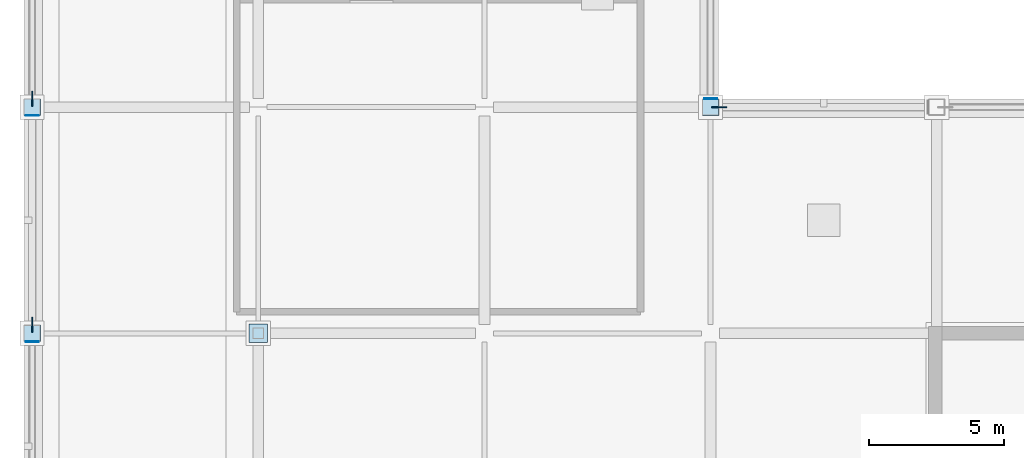
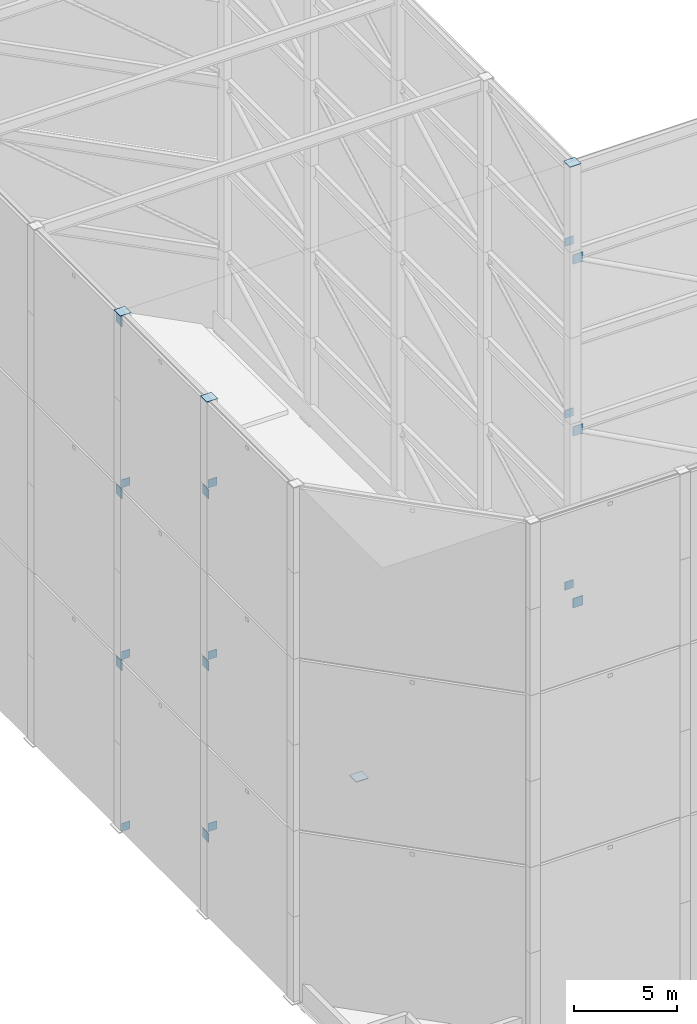
# One storey, part 9 of 17: 22 plates.
"""IFC4 building model written with IfcOpenShell, lengths in metres."""

from ifc_helpers import new_model, si_unit, direction, frame, origin, origin_2d, place, context, subcontext, project, spatial, rectangle, extrude, material, layer, layer_set, type_object, element, save


model = new_model("IFC4")

# Units and contexts
model_context = context("Model", 3, precision=1e-05, world=origin(), true_north=direction((0.0, 1.0)))
body_context = subcontext(model_context, "Body", "Model", "MODEL_VIEW")
ifc_project = project(units=[si_unit("LENGTHUNIT", "METRE"), si_unit("AREAUNIT", "SQUARE_METRE"), si_unit("VOLUMEUNIT", "CUBIC_METRE"), si_unit("PLANEANGLEUNIT", "RADIAN"), si_unit("MASSUNIT", "GRAM", prefix="KILO")], contexts=[model_context])

# Site, building, storey
site_placement = place(None, origin())
site = spatial("IfcSite", under=ifc_project, at=site_placement, CompositionType="ELEMENT")
building_placement = place(site_placement, origin())
building = spatial("IfcBuilding", under=site, at=building_placement, Name="Koriwani Terraces Tower", CompositionType="ELEMENT")
storey_placement = place(building_placement, frame((0.0, 0.0, 374.0)))
storey = spatial("IfcBuildingStorey", under=building, at=storey_placement, Name="RF", CompositionType="ELEMENT", Elevation=374.0)

# Plates
ifc_material = material(Name="Steel ASTM A572 Grade 50", Category="steel")
ifc_layer_1 = layer(ifc_material, 0.02490234375, Name="Steel ASTM A572 Grade 50")
ifc_layer_set_1 = layer_set([ifc_layer_1], Name="Steel ASTM A572 Grade 50")
plate_type_1 = type_object("IfcPlateType", Name="STEEL_CAP_PLATE_25", PredefinedType="USERDEFINED", material=ifc_layer_set_1)
for number, where, z_axis, x_axis, name in (
    (1, (33.60009765625, 33.60009765625, 30.51513671875), (0.0, 0.0, 1.0), (1.0, 0.0, 0.0), "Crown Frame Column Cap Plate EP-12"),
    (2, (8.39990234375, 33.60009765625, 30.51513671875), (0.0, 0.0, 1.0), (1.0, 0.0, 0.0), "Crown Frame Column Cap Plate EP-23"),
    (3, (8.39990234375, 25.199951171875, 30.51513671875), (0.0, 0.0, 1.0), (1.0, 0.0, 0.0), "Crown Frame Column Cap Plate EP-24"),
):
    element("IfcPlate", number, at=place(storey_placement, frame(where, z_axis=z_axis, x_axis=x_axis)), inside=storey, type_object=plate_type_1, Name=name, ObjectType="FLANGE_PLATE", PredefinedType="USERDEFINED", context=body_context, shape_type="SweptSolid", body=[
        extrude(rectangle(XDim=0.6201171875, YDim=0.6201171875, at=origin_2d()), origin(), (0.0, 0.0, 1.0), 0.02490234375),
    ])
plate_placement = place(storey_placement, frame((16.800048828125, 25.199951171875, 5.090087890625), z_axis=(0.0, 0.0, 1.0), x_axis=(1.0, 0.0, 0.0)))
element("IfcPlate", 4, at=plate_placement, inside=storey, type_object=plate_type_1, Name="Crown Equipment Column Cap Plate EQ-03", ObjectType="FLANGE_PLATE", PredefinedType="USERDEFINED", context=body_context, shape_type="SweptSolid", body=[
    extrude(rectangle(XDim=0.679931640625, YDim=0.679931640625, at=origin_2d()), origin(), (0.0, 0.0, 1.0), 0.02490234375),
])
for number, where, z_axis, x_axis, name in (
    (5, (8.39990234375, 33.284912109375, -0.02099609375), (0.0, 0.0, 1.0), (0.0, -1.0, 0.0), "Brace End Cap Plate CFBR-T1-S22"),
    (6, (33.60009765625, 33.915283203125, 5.06884765625), (0.0, 0.0, 1.0), (0.0, 1.0, 0.0), "Brace End Cap Plate CFBR-T2-S11"),
    (7, (8.39990234375, 24.884765625, 5.06884765625), (0.0, 0.0, 1.0), (0.0, -1.0, 0.0), "Brace End Cap Plate CFBR-T2-S23"),
    (8, (8.39990234375, 33.284912109375, 10.158935546875), (0.0, 0.0, 1.0), (0.0, -1.0, 0.0), "Brace End Cap Plate CFBR-T3-S22"),
    (9, (33.60009765625, 33.915283203125, 15.2490234375), (0.0, 0.0, 1.0), (0.0, 1.0, 0.0), "Brace End Cap Plate CFBR-T4-S11"),
    (10, (8.39990234375, 24.884765625, 15.2490234375), (0.0, 0.0, 1.0), (0.0, -1.0, 0.0), "Brace End Cap Plate CFBR-T4-S23"),
    (11, (8.39990234375, 33.284912109375, 20.3388671875), (0.0, 0.0, 1.0), (0.0, -1.0, 0.0), "Brace End Cap Plate CFBR-T5-S22"),
    (12, (33.60009765625, 33.915283203125, 25.428955078125), (0.0, 0.0, 1.0), (0.0, 1.0, 0.0), "Brace End Cap Plate CFBR-T6-S11"),
    (13, (8.39990234375, 24.884765625, 25.428955078125), (0.0, 0.0, 1.0), (0.0, -1.0, 0.0), "Brace End Cap Plate CFBR-T6-S23"),
):
    element("IfcPlate", number, at=place(storey_placement, frame(where, z_axis=z_axis, x_axis=x_axis)), inside=storey, type_object=plate_type_1, Name=name, ObjectType="FLANGE_PLATE", PredefinedType="USERDEFINED", context=body_context, shape_type="SweptSolid", body=[
        extrude(rectangle(XDim=0.02490234375, YDim=0.47998046875, at=origin_2d()), origin(), (0.0, 0.0, 1.0), 0.47998046875),
    ])
ifc_layer_2 = layer(ifc_material, 0.0400390625, Name="Steel ASTM A572 Grade 50")
ifc_layer_set_2 = layer_set([ifc_layer_2], Name="Steel ASTM A572 Grade 50")
plate_type_2 = type_object("IfcPlateType", Name="STEEL_GUSSET_PLATE_40", PredefinedType="USERDEFINED", material=ifc_layer_set_2)
for number, where, z_axis, x_axis, name in (
    (14, (33.915283203125, 33.60009765625, 4.115966796875), (0.0, 0.0, 1.0), (-1.0, 0.0, 0.0), "Brace Node Gusset Plate CFBR-T1-S10"),
    (15, (8.39990234375, 25.51513671875, 4.115966796875), (0.0, 0.0, 1.0), (0.0, -1.0, 0.0), "Brace Node Gusset Plate CFBR-T1-S22"),
    (16, (8.39990234375, 33.915283203125, 9.2060546875), (0.0, 0.0, 1.0), (0.0, -1.0, 0.0), "Brace Node Gusset Plate CFBR-T2-S21"),
    (17, (33.915283203125, 33.60009765625, 14.296142578125), (0.0, 0.0, 1.0), (-1.0, 0.0, 0.0), "Brace Node Gusset Plate CFBR-T3-S10"),
    (18, (8.39990234375, 25.51513671875, 14.296142578125), (0.0, 0.0, 1.0), (0.0, -1.0, 0.0), "Brace Node Gusset Plate CFBR-T3-S22"),
    (19, (8.39990234375, 33.915283203125, 19.38818359375), (0.0, 0.0, 1.0), (0.0, -1.0, 0.0), "Brace Node Gusset Plate CFBR-T4-S21"),
    (20, (33.915283203125, 33.60009765625, 24.47802734375), (0.0, 0.0, 1.0), (-1.0, 0.0, 0.0), "Brace Node Gusset Plate CFBR-T5-S10"),
    (21, (8.39990234375, 25.51513671875, 24.47802734375), (0.0, 0.0, 1.0), (0.0, -1.0, 0.0), "Brace Node Gusset Plate CFBR-T5-S22"),
    (22, (8.39990234375, 33.915283203125, 29.568115234375), (0.0, 0.0, 1.0), (0.0, -1.0, 0.0), "Brace Node Gusset Plate CFBR-T6-S21"),
):
    element("IfcPlate", number, at=place(storey_placement, frame(where, z_axis=z_axis, x_axis=x_axis)), inside=storey, type_object=plate_type_2, Name=name, ObjectType="GUSSET_PLATE", PredefinedType="USERDEFINED", context=body_context, shape_type="SweptSolid", body=[
        extrude(rectangle(XDim=0.56005859375, YDim=0.0400390625, at=origin_2d()), origin(), (0.0, 0.0, 1.0), 0.56005859375),
    ])

save(model, "model.ifc")
